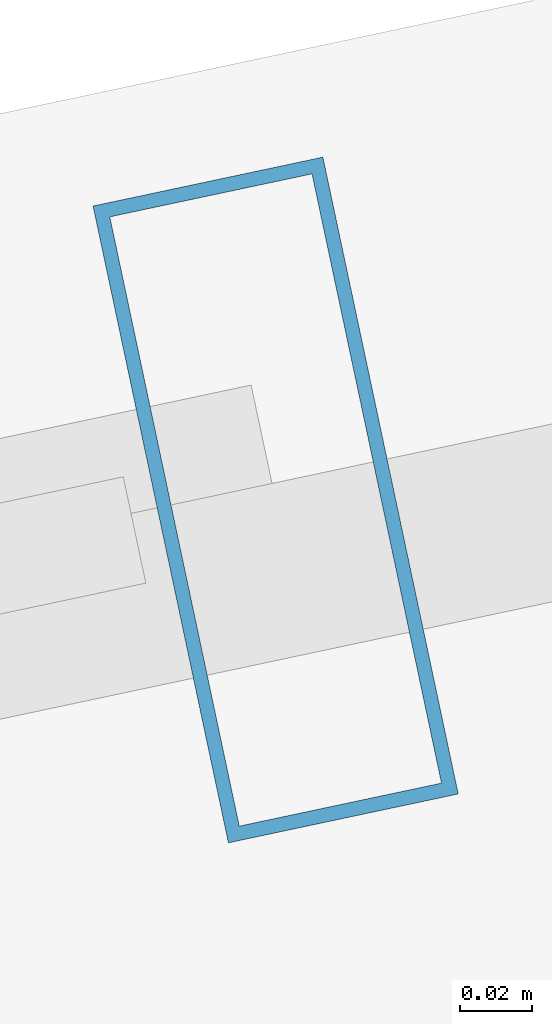
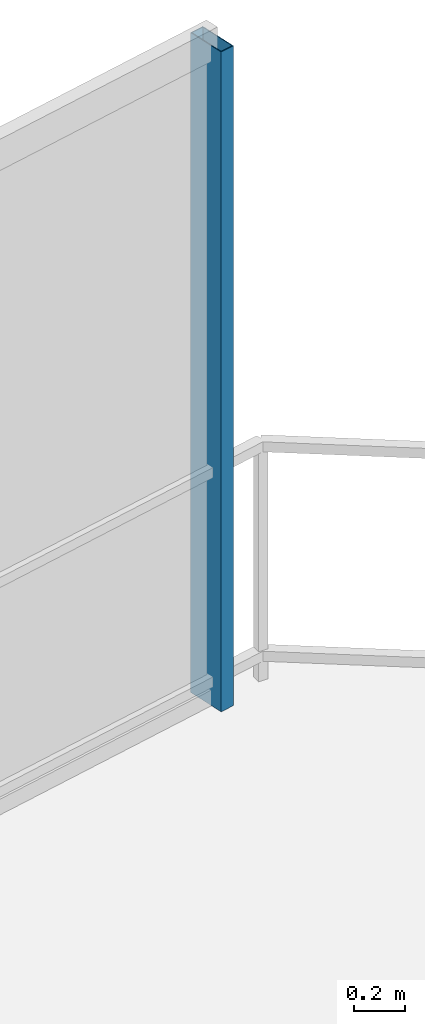
# One storey, part 21 of 27: 1 member, 1 element without a shape of its own.
"""IFC4 building model written with IfcOpenShell, lengths in metres."""

from ifc_helpers import new_model, si_unit, direction, frame, origin, origin_2d, place, context, subcontext, project, spatial, hollow_rectangle, extrude, material, layer, layer_set, material_profile, profile_set, type_object, element, aggregate, save


model = new_model("IFC4")

# Units and contexts
model_context = context("Model", 3, precision=1e-05, world=origin(), true_north=direction((0.0, 1.0)))
body_context = subcontext(model_context, "Body", "Model", "MODEL_VIEW")
ifc_project = project(units=[si_unit("LENGTHUNIT", "METRE"), si_unit("AREAUNIT", "SQUARE_METRE"), si_unit("VOLUMEUNIT", "CUBIC_METRE"), si_unit("PLANEANGLEUNIT", "RADIAN"), si_unit("MASSUNIT", "GRAM", prefix="KILO")], contexts=[model_context])

# Site, building, storey
site_placement = place(None, origin())
site = spatial("IfcSite", under=ifc_project, at=site_placement, CompositionType="ELEMENT")
building_placement = place(site_placement, origin())
building = spatial("IfcBuilding", under=site, at=building_placement, Name="Qarnah Convention Tower", CompositionType="ELEMENT")
storey_placement = place(building_placement, frame((0.0, 0.0, 110.85009765625)))
storey = spatial("IfcBuildingStorey", under=building, at=storey_placement, Name="L29", CompositionType="ELEMENT", Elevation=110.85009765625)

# Curtain wall, member
ifc_material_1 = material(Name="Tempered Low-E dark glass", Category="glass")
ifc_layer = layer(ifc_material_1, 0.169921875)
ifc_layer_set = layer_set([ifc_layer], Name="Tempered Low-E dark glass")
curtain_wall_type = type_object("IfcCurtainWallType", Name="CWS-02", PredefinedType="NOTDEFINED", material=ifc_layer_set)
curtain_wall_placement = place(storey_placement, origin())
curtain_wall = element("IfcCurtainWall", 1, at=curtain_wall_placement, inside=storey, type_object=curtain_wall_type, Name="L29 unitised curtain wall CW-L29-F1", PredefinedType="NOTDEFINED")
ifc_material_2 = material(Name="Black anodised aluminium", Category="aluminium")
ifc_material_profile = material_profile(ifc_material_2, hollow_rectangle(XDim=0.06494140625, YDim=0.179931640625, WallThickness=0.00390625, at=origin_2d()), Name="MUL-65X180")
ifc_profile_set = profile_set([ifc_material_profile], Name="Black anodised aluminium")
member_type = type_object("IfcMemberType", Name="MUL-T2", PredefinedType="MULLION", material=ifc_profile_set)
member_placement = place(storey_placement, frame((50.27197265625, 46.7509765625, 0.0), z_axis=(0.0, 0.0, 1.0), x_axis=(0.978150383892, 0.207898596655, 0.0)))
member = element("IfcMember", 2, at=member_placement, type_object=member_type, Name="CW-L29-F1 mullion 6", PredefinedType="MULLION", context=body_context, shape_type="SweptSolid", body=[
    extrude(hollow_rectangle(XDim=0.06494140625, YDim=0.179931640625, WallThickness=0.00390625, at=origin_2d()), origin(), (0.0, 0.0, 1.0), 3.169921875),
])
aggregate(curtain_wall, [member])

save(model, "model.ifc")
